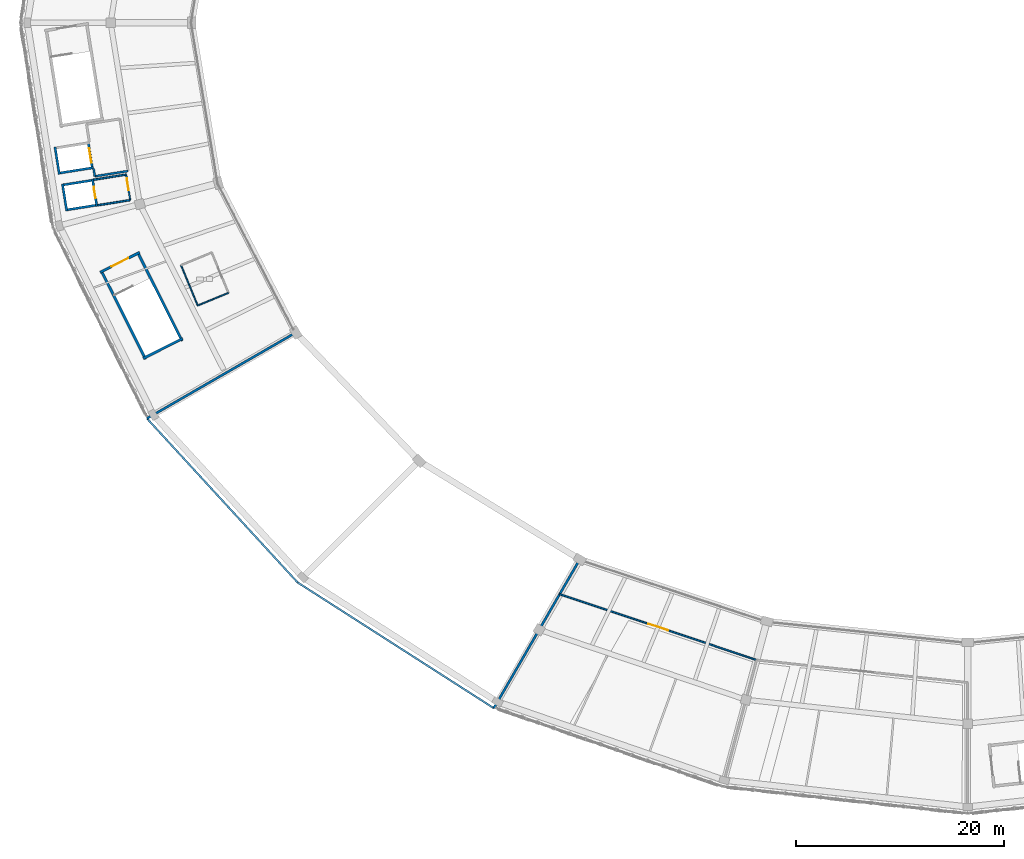
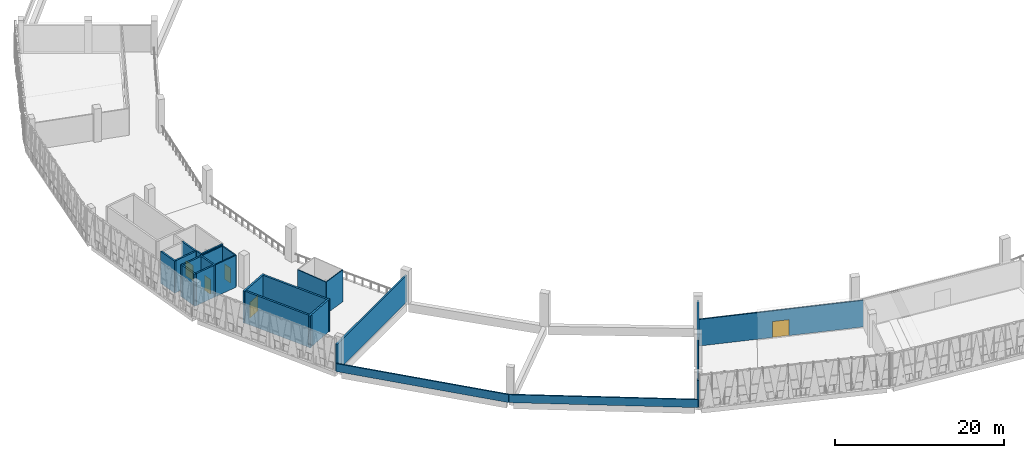
# One storey, part 42 of 64: 23 walls, 5 doors, 5 openings.
"""IFC4 building model written with IfcOpenShell, lengths in metres."""

from ifc_helpers import new_model, si_unit, direction, frame, frame_2d, origin, place, context, subcontext, project, spatial, rectangle, extrude, material, layer, layer_set, type_object, element, fill, save


model = new_model("IFC4")

# Units and contexts
model_context = context("Model", 3, precision=1e-05, world=origin(), true_north=direction((0.0, 1.0)))
body_context = subcontext(model_context, "Body", "Model", "MODEL_VIEW")
ifc_project = project(units=[si_unit("LENGTHUNIT", "METRE"), si_unit("AREAUNIT", "SQUARE_METRE"), si_unit("VOLUMEUNIT", "CUBIC_METRE"), si_unit("PLANEANGLEUNIT", "RADIAN"), si_unit("MASSUNIT", "GRAM", prefix="KILO")], contexts=[model_context])

# Site, building, storey
site_placement = place(None, origin())
site = spatial("IfcSite", under=ifc_project, at=site_placement, CompositionType="ELEMENT")
building_placement = place(site_placement, origin())
building = spatial("IfcBuilding", under=site, at=building_placement, Name="Zevraka Park Crest Stadium", CompositionType="ELEMENT")
storey_placement = place(building_placement, frame((0.0, 0.0, 24.60009765625)))
storey = spatial("IfcBuildingStorey", under=building, at=storey_placement, Name="L05", CompositionType="ELEMENT", Elevation=24.60009765625)

# Walls
ifc_material_1 = material(Name="Autoclaved aerated masonry blockwork", Category="masonry")
ifc_layer_1 = layer(ifc_material_1, 0.199951171875)
ifc_layer_set_1 = layer_set([ifc_layer_1], Name="Autoclaved aerated masonry blockwork")
wall_type_1 = type_object("IfcWallType", Name="IW01", PredefinedType="PARTITIONING", material=ifc_layer_set_1)
wall_1_placement = place(storey_placement, frame((28.18310546875, 77.256103515625, 0.0), z_axis=(0.0, 0.0, 1.0), x_axis=(-0.157482870509, 0.987521719, 0.0)))
element("IfcWall", 1, at=wall_1_placement, inside=storey, type_object=wall_type_1, Name="Firefighting Lift Lobby Wall IW01 FL03 L05 BACKL", PredefinedType="PARTITIONING", context=body_context, shape_type="SweptSolid", body=[
    extrude(rectangle(XDim=0.750244140625, YDim=0.199951171875, at=frame_2d((0.375, 0.0))), origin(), (0.0, 0.0, 1.0), 4.599853515625),
])
wall_2_placement = place(storey_placement, frame((28.18310546875, 77.256103515625, 0.0), z_axis=(0.0, 0.0, 1.0), x_axis=(0.987633675984, 0.156779214382, 0.0)))
element("IfcWall", 2, at=wall_2_placement, inside=storey, type_object=wall_type_1, Name="Firefighting Lift Lobby Wall IW01 FL03 L05 LEFT", PredefinedType="PARTITIONING", context=body_context, shape_type="SweptSolid", body=[
    extrude(rectangle(XDim=3.239013671875, YDim=0.199951171875, at=frame_2d((1.61962890625, 0.0))), origin(), (0.0, 0.0, 1.0), 4.599853515625),
])
ifc_material_2 = material(Name="Fire-rated twin-stud acoustic drywall", Category="other")
ifc_layer_2 = layer(ifc_material_2, 0.159912109375)
ifc_layer_set_2 = layer_set([ifc_layer_2], Name="Fire-rated twin-stud acoustic drywall")
wall_type_2 = type_object("IfcWallType", Name="IW02", PredefinedType="PARTITIONING", material=ifc_layer_set_2)
wall_3_placement = place(storey_placement, frame((28.452880859375, 74.472900390625, 0.0), z_axis=(0.0, 0.0, 1.0), x_axis=(0.987632121619, 0.156789005818, 0.0)))
element("IfcWall", 3, at=wall_3_placement, inside=storey, type_object=wall_type_2, Name="Passenger Lift Lobby Wall IW02 PL03 L05 LEFT", PredefinedType="PARTITIONING", context=body_context, shape_type="SweptSolid", body=[
    extrude(rectangle(XDim=3.17041015625, YDim=0.159912109375, at=frame_2d((1.585205078125, 0.0))), origin(), (0.0, 0.0, 1.0), 4.599853515625),
])
wall_4_placement = place(storey_placement, frame((28.06396484375, 76.923095703125, 0.0), z_axis=(0.0, 0.0, 1.0), x_axis=(0.987644043639, 0.156713889186, 0.0)))
element("IfcWall", 4, at=wall_4_placement, inside=storey, type_object=wall_type_2, Name="Passenger Lift Lobby Wall IW02 PL03 L05 RIGHT", PredefinedType="PARTITIONING", context=body_context, shape_type="SweptSolid", body=[
    extrude(rectangle(XDim=3.170166015625, YDim=0.159912109375, at=frame_2d((1.5849609375, 0.0))), origin(), (0.0, 0.0, 1.0), 4.599853515625),
])

# Wall, opening, door
wall_5_placement = place(storey_placement, frame((31.583984375, 74.969970703125, 0.0), z_axis=(0.0, 0.0, 1.0), x_axis=(-0.156781258489, 0.987633351496, 0.0)))
wall_5 = element("IfcWall", 5, at=wall_5_placement, inside=storey, type_object=wall_type_2, Name="Passenger Lift Lobby Wall IW02 PL03 L05 FRONT", PredefinedType="PARTITIONING", context=body_context, shape_type="SweptSolid", body=[
    extrude(rectangle(XDim=2.480712890625, YDim=0.159912109375, at=frame_2d((1.240234375, 0.0))), origin(), (0.0, 0.0, 1.0), 4.599853515625),
])
opening_1_placement = place(wall_5_placement, frame((0.962890625, 0.0, 0.0)))
opening_1 = element("IfcOpeningElement", 6, at=opening_1_placement, cuts=wall_5, Name="Opening D-L05-318", PredefinedType="OPENING", context=body_context, shape_type="SweptSolid", body=[
    extrude(rectangle(XDim=1.14990234375, YDim=2.199951171875, at=frame_2d((0.574951171875, 1.10009765625))), frame((0.0, 0.08984375, 0.0), z_axis=(0.0, -1.0, 0.0), x_axis=(1.0, 0.0, 0.0)), (0.0, 0.0, 1.0), 0.179931640625),
])
ifc_material_3 = material(Name="Solid-core hardwood timber leaf in steel frame", Category="steel")
door_type_1 = type_object("IfcDoorType", Name="DR03", OperationType="NOTDEFINED", PredefinedType="DOOR", material=ifc_material_3)
door_1_placement = place(opening_1_placement, origin())
door_1 = element("IfcDoor", 7, at=door_1_placement, inside=storey, type_object=door_type_1, Name="Passenger Lift Lobby PL03 Door D-L05-318", OperationType="SINGLE_SWING_RIGHT", OverallHeight=2.199951171875, OverallWidth=1.14990234375, PredefinedType="DOOR", context=body_context, shape_type="SweptSolid", body=[
    extrude(rectangle(XDim=1.14990234375, YDim=2.199951171875, at=frame_2d((0.574951171875, 1.10009765625))), frame((0.0, 0.02490234375, 0.0), z_axis=(0.0, -1.0, 0.0), x_axis=(1.0, 0.0, 0.0)), (0.0, 0.0, 1.0), 0.050048828125),
])
fill(opening_1, door_1)

# Walls
ifc_material_4 = material(Name="Moisture-resistant sanitary partition", Category="other")
ifc_layer_3 = layer(ifc_material_4, 0.1201171875)
ifc_layer_set_3 = layer_set([ifc_layer_3], Name="Moisture-resistant sanitary partition")
wall_type_3 = type_object("IfcWallType", Name="IW04", PredefinedType="PARTITIONING", material=ifc_layer_set_3)
wall_6_placement = place(storey_placement, frame((41.01806640625, 66.06591796875, 0.0), z_axis=(0.0, 0.0, 1.0), x_axis=(-0.923833607797, -0.382794285622, 0.0)))
element("IfcWall", 8, at=wall_6_placement, inside=storey, type_object=wall_type_3, Name="Sanitary Enclosure Wall IW04 Accessible WC L05-003-2", PredefinedType="PARTITIONING", context=body_context, shape_type="SweptSolid", body=[
    extrude(rectangle(XDim=3.19970703125, YDim=0.1201171875, at=frame_2d((1.599853515625, 0.0))), origin(), (0.0, 0.0, 1.0), 4.599853515625),
])
wall_7_placement = place(storey_placement, frame((38.06201171875, 64.841064453125, 0.0), z_axis=(0.0, 0.0, 1.0), x_axis=(-0.382649593233, 0.923893548413, 0.0)))
element("IfcWall", 9, at=wall_7_placement, inside=storey, type_object=wall_type_3, Name="Sanitary Enclosure Wall IW04 Accessible WC L05-003-3", PredefinedType="PARTITIONING", context=body_context, shape_type="SweptSolid", body=[
    extrude(rectangle(XDim=4.199462890625, YDim=0.1201171875, at=frame_2d((2.099609375, 0.0))), origin(), (0.0, 0.0, 1.0), 4.599853515625),
])

# Wall, opening, door
ifc_material_5 = material(Name="Fire-rated twin-stud acoustic drywall", Category="other")
ifc_layer_4 = layer(ifc_material_5, 0.14990234375)
ifc_layer_set_4 = layer_set([ifc_layer_4], Name="Fire-rated twin-stud acoustic drywall")
wall_type_4 = type_object("IfcWallType", Name="IW05", PredefinedType="PARTITIONING", material=ifc_layer_set_4)
wall_8_placement = place(storey_placement, frame((72.824951171875, 37.136962890625, 0.0), z_axis=(0.0, 0.0, 1.0), x_axis=(0.948247492377, -0.317532192384, 0.0)))
wall_8 = element("IfcWall", 10, at=wall_8_placement, inside=storey, type_object=wall_type_4, Name="Interior Partition IW05 Accredited Media Dining Lounge L05", PredefinedType="PARTITIONING", context=body_context, shape_type="SweptSolid", body=[
    extrude(rectangle(XDim=19.92822265625, YDim=0.14990234375, at=frame_2d((9.964111328125, 0.0))), origin(), (0.0, 0.0, 1.0), 3.83984375),
])
opening_2_placement = place(wall_8_placement, frame((8.964111328125, 0.0, 0.0)))
opening_2 = element("IfcOpeningElement", 11, at=opening_2_placement, cuts=wall_8, Name="Opening D-L05-496", PredefinedType="OPENING", context=body_context, shape_type="SweptSolid", body=[
    extrude(rectangle(XDim=2.0, YDim=2.300048828125, at=frame_2d((1.0, 1.14990234375))), frame((0.0, 0.0849609375, 0.0), z_axis=(0.0, -1.0, 0.0), x_axis=(1.0, 0.0, 0.0)), (0.0, 0.0, 1.0), 0.169921875),
])
ifc_material_6 = material(Name="Solid-core hardwood timber leaf in steel frame", Category="steel")
door_type_2 = type_object("IfcDoorType", Name="DR16", OperationType="NOTDEFINED", PredefinedType="DOOR", material=ifc_material_6)
door_2_placement = place(opening_2_placement, origin())
door_2 = element("IfcDoor", 12, at=door_2_placement, inside=storey, type_object=door_type_2, Name="Accredited Media Dining Lounge Door D-L05-496", OperationType="DOUBLE_DOOR_SINGLE_SWING", OverallHeight=2.300048828125, OverallWidth=2.0, PredefinedType="DOOR", context=body_context, shape_type="SweptSolid", body=[
    extrude(rectangle(XDim=2.0, YDim=2.300048828125, at=frame_2d((1.0, 1.14990234375))), frame((0.0, 0.02490234375, 0.0), z_axis=(0.0, -1.0, 0.0), x_axis=(1.0, 0.0, 0.0)), (0.0, 0.0, 1.0), 0.050048828125),
])
fill(opening_2, door_2)

# Walls
ifc_material_7 = material(Name="Precast concrete C40/50", Category="concrete")
ifc_layer_5 = layer(ifc_material_7, 0.219970703125)
ifc_layer_set_5 = layer_set([ifc_layer_5], Name="Precast concrete C40/50")
wall_type_5 = type_object("IfcWallType", Name="PW01", PredefinedType="PARAPET", material=ifc_layer_set_5)
for number, where, z_axis, x_axis, name in (
    (13, (47.48095703125, 62.25, 0.0), (0.0, 0.0, 1.0), (-0.866019999656, -0.500009360108, 0.0), "Crown Tribune End Closure Wall PW01 14"),
    (14, (74.75, 40.470947265625, 0.0), (0.0, 0.0, 1.0), (-0.500009360108, -0.866019999656, 0.0), "Crown Tribune End Closure Wall PW01 16"),
):
    element("IfcWall", number, at=place(storey_placement, frame(where, z_axis=z_axis, x_axis=x_axis)), inside=storey, type_object=wall_type_5, Name=name, PredefinedType="PARAPET", context=body_context, shape_type="SweptSolid", body=[
        extrude(rectangle(XDim=16.499755859375, YDim=0.219970703125, at=frame_2d((8.25, 0.0))), origin(), (0.0, 0.0, 1.0), 3.889892578125),
    ])
ifc_material_8 = material(Name="Precast concrete C40/50", Category="concrete")
ifc_layer_6 = layer(ifc_material_8, 0.179931640625)
ifc_layer_set_6 = layer_set([ifc_layer_6], Name="Precast concrete C40/50")
wall_type_6 = type_object("IfcWallType", Name="PW02", PredefinedType="PARAPET", material=ifc_layer_set_6)
wall_9_placement = place(storey_placement, frame((33.19189453125, 54.0, 0.0), z_axis=(0.0, 0.0, 1.0), x_axis=(0.676559509476, -0.736387961701, 0.0)))
element("IfcWall", 15, at=wall_9_placement, inside=storey, type_object=wall_type_6, Name="Setback Roof Parapet Wall PW02 14", PredefinedType="PARAPET", context=body_context, shape_type="SweptSolid", body=[
    extrude(rectangle(XDim=21.37451171875, YDim=0.179931640625, at=frame_2d((10.687255859375, 0.0))), origin(), (0.0, 0.0, 1.0), 1.14990234375),
])
wall_10_placement = place(storey_placement, frame((47.653076171875, 38.260009765625, 0.0), z_axis=(0.0, 0.0, 1.0), x_axis=(0.841944820425, -0.539563637914, 0.0)))
element("IfcWall", 16, at=wall_10_placement, inside=storey, type_object=wall_type_6, Name="Setback Roof Parapet Wall PW02 15", PredefinedType="PARAPET", context=body_context, shape_type="SweptSolid", body=[
    extrude(rectangle(XDim=22.385009765625, YDim=0.179931640625, at=frame_2d((11.1923828125, 0.0))), origin(), (0.0, 0.0, 1.0), 1.14990234375),
])
ifc_material_9 = material(Name="Concrete C40/50", Category="concrete")
ifc_layer_7 = layer(ifc_material_9, 0.25)
ifc_layer_set_7 = layer_set([ifc_layer_7], Name="Concrete C40/50")
wall_type_7 = type_object("IfcWallType", Name="SW01", PredefinedType="SHEAR", material=ifc_layer_set_7)
for number, where, z_axis, x_axis, name in (
    (17, (28.785400390625, 68.2255859375, 0.0), (0.0, 0.0, 1.0), (0.447919041961, -0.894074119885, 0.0), "Stair Core Shear Wall SW01 ST14 L05 left"),
    (18, (36.56787109375, 61.443115234375, 0.0), (0.0, 0.0, 1.0), (-0.447919041961, 0.894074119885, 0.0), "Stair Core Shear Wall SW01 ST14 L05 right"),
):
    element("IfcWall", number, at=place(storey_placement, frame(where, z_axis=z_axis, x_axis=x_axis)), inside=storey, type_object=wall_type_7, Name=name, PredefinedType="SHEAR", context=body_context, shape_type="SweptSolid", body=[
        extrude(rectangle(XDim=9.5498046875, YDim=0.25, at=frame_2d((4.77490234375, 0.0))), origin(), (0.0, 0.0, 1.0), 4.619873046875),
    ])

# Wall, opening, door
wall_11_placement = place(storey_placement, frame((32.498291015625, 69.94580078125, 0.0), z_axis=(0.0, 0.0, 1.0), x_axis=(-0.89409454548, -0.447878268888, 0.0)))
wall_11 = element("IfcWall", 19, at=wall_11_placement, inside=storey, type_object=wall_type_7, Name="Stair Core Shear Wall SW01 ST14 L05 near", PredefinedType="SHEAR", context=body_context, shape_type="SweptSolid", body=[
    extrude(rectangle(XDim=4.260009765625, YDim=0.25, at=frame_2d((2.1298828125, 0.0))), origin(), (0.0, 0.0, 1.0), 4.619873046875),
])
opening_3_placement = place(wall_11_placement, frame((1.22998046875, 0.0, 0.0)))
opening_3 = element("IfcOpeningElement", 20, at=opening_3_placement, cuts=wall_11, Name="Opening D-L05-086", PredefinedType="OPENING", context=body_context, shape_type="SweptSolid", body=[
    extrude(rectangle(XDim=1.800048828125, YDim=2.25, at=frame_2d((0.89990234375, 1.125))), frame((0.0, 0.135009765625, 0.0), z_axis=(0.0, -1.0, 0.0), x_axis=(1.0, 0.0, 0.0)), (0.0, 0.0, 1.0), 0.27001953125),
])
ifc_material_10 = material(Name="Solid-core hardwood timber leaf in steel frame", Category="steel")
door_type_3 = type_object("IfcDoorType", Name="DR04", OperationType="NOTDEFINED", PredefinedType="DOOR", material=ifc_material_10)
door_3_placement = place(opening_3_placement, origin())
door_3 = element("IfcDoor", 21, at=door_3_placement, inside=storey, type_object=door_type_3, Name="Protected Stair Entry Door ST14 L05", OperationType="DOUBLE_DOOR_SINGLE_SWING", OverallHeight=2.25, OverallWidth=1.800048828125, PredefinedType="DOOR", context=body_context, shape_type="SweptSolid", body=[
    extrude(rectangle(XDim=1.800048828125, YDim=2.25, at=frame_2d((0.89990234375, 1.125))), frame((0.0, 0.02490234375, 0.0), z_axis=(0.0, -1.0, 0.0), x_axis=(1.0, 0.0, 0.0)), (0.0, 0.0, 1.0), 0.050048828125),
])
fill(opening_3, door_3)

# Walls
wall_12_placement = place(storey_placement, frame((32.828125, 59.776611328125, 0.0), z_axis=(0.0, 0.0, 1.0), x_axis=(0.89409454548, 0.447878268888, 0.0)))
element("IfcWall", 22, at=wall_12_placement, inside=storey, type_object=wall_type_7, Name="Stair Core Shear Wall SW01 ST14 L05 far", PredefinedType="SHEAR", context=body_context, shape_type="SweptSolid", body=[
    extrude(rectangle(XDim=4.260009765625, YDim=0.25, at=frame_2d((2.1298828125, 0.0))), origin(), (0.0, 0.0, 1.0), 4.619873046875),
])
ifc_material_11 = material(Name="Concrete C40/50", Category="concrete")
ifc_layer_8 = layer(ifc_material_11, 0.219970703125)
ifc_layer_set_8 = layer_set([ifc_layer_8], Name="Concrete C40/50")
wall_type_8 = type_object("IfcWallType", Name="SW02", PredefinedType="SHEAR", material=ifc_layer_set_8)
wall_13_placement = place(storey_placement, frame((24.364990234375, 80.06298828125, 0.0), z_axis=(0.0, 0.0, 1.0), x_axis=(0.156807626334, -0.987629165387, 0.0)))
element("IfcWall", 23, at=wall_13_placement, inside=storey, type_object=wall_type_8, Name="Lift Shaft Shear Wall SW02 FL03 L05-1", PredefinedType="SHEAR", context=body_context, shape_type="SweptSolid", body=[
    extrude(rectangle(XDim=2.640625, YDim=0.219970703125, at=frame_2d((1.3203125, 0.0))), origin(), (0.0, 0.0, 1.0), 4.619873046875),
])
wall_14_placement = place(storey_placement, frame((24.653076171875, 77.547119140625, 0.0), z_axis=(0.0, 0.0, 1.0), x_axis=(0.987703627881, 0.156337914372, 0.0)))
element("IfcWall", 24, at=wall_14_placement, inside=storey, type_object=wall_type_8, Name="Lift Shaft Shear Wall SW02 FL03 L05-2", PredefinedType="SHEAR", context=body_context, shape_type="SweptSolid", body=[
    extrude(rectangle(XDim=3.440185546875, YDim=0.219970703125, at=frame_2d((1.72021484375, 0.0))), origin(), (0.0, 0.0, 1.0), 4.619873046875),
])

# Wall, opening, door
wall_15_placement = place(storey_placement, frame((27.958984375, 77.958984375, 0.0), z_axis=(0.0, 0.0, 1.0), x_axis=(-0.156807626334, 0.987629165387, 0.0)))
wall_15 = element("IfcWall", 25, at=wall_15_placement, inside=storey, type_object=wall_type_8, Name="Lift Shaft Shear Wall SW02 FL03 L05-3", PredefinedType="SHEAR", context=body_context, shape_type="SweptSolid", body=[
    extrude(rectangle(XDim=2.640625, YDim=0.219970703125, at=frame_2d((1.3203125, 0.0))), origin(), (0.0, 0.0, 1.0), 4.619873046875),
])
opening_4_placement = place(wall_15_placement, frame((0.6201171875, 0.0, 0.0)))
opening_4 = element("IfcOpeningElement", 26, at=opening_4_placement, cuts=wall_15, Name="Opening LD-FL03-L05", PredefinedType="OPENING", context=body_context, shape_type="SweptSolid", body=[
    extrude(rectangle(XDim=1.39990234375, YDim=2.199951171875, at=frame_2d((0.699951171875, 1.10009765625))), frame((0.0, 0.119873046875, 0.0), z_axis=(0.0, -1.0, 0.0), x_axis=(1.0, 0.0, 0.0)), (0.0, 0.0, 1.0), 0.239990234375),
])
ifc_material_12 = material(Name="Brushed stainless steel lift landing doors", Category="steel")
door_type_4 = type_object("IfcDoorType", Name="LD01", OperationType="NOTDEFINED", PredefinedType="DOOR", material=ifc_material_12)
door_4_placement = place(opening_4_placement, origin())
door_4 = element("IfcDoor", 27, at=door_4_placement, inside=storey, type_object=door_type_4, Name="Lift Sliding Landing Door LD-FL03-L05", OperationType="SLIDING_TO_LEFT", OverallHeight=2.199951171875, OverallWidth=1.39990234375, PredefinedType="DOOR", context=body_context, shape_type="SweptSolid", body=[
    extrude(rectangle(XDim=1.39990234375, YDim=2.199951171875, at=frame_2d((0.699951171875, 1.10009765625))), frame((0.0, 0.02490234375, 0.0), z_axis=(0.0, -1.0, 0.0), x_axis=(1.0, 0.0, 0.0)), (0.0, 0.0, 1.0), 0.050048828125),
])
fill(opening_4, door_4)

# Walls
wall_16_placement = place(storey_placement, frame((25.077880859375, 76.530029296875, 0.0), z_axis=(0.0, 0.0, 1.0), x_axis=(0.156807626334, -0.987629165387, 0.0)))
element("IfcWall", 28, at=wall_16_placement, inside=storey, type_object=wall_type_8, Name="Lift Shaft Shear Wall SW02 PL03 L05-1", PredefinedType="SHEAR", context=body_context, shape_type="SweptSolid", body=[
    extrude(rectangle(XDim=2.640625, YDim=0.219970703125, at=frame_2d((1.3203125, 0.0))), origin(), (0.0, 0.0, 1.0), 4.619873046875),
])
wall_17_placement = place(storey_placement, frame((25.365966796875, 74.013916015625, 0.0), z_axis=(0.0, 0.0, 1.0), x_axis=(0.987645460109, 0.156704962032, 0.0)))
element("IfcWall", 29, at=wall_17_placement, inside=storey, type_object=wall_type_8, Name="Lift Shaft Shear Wall SW02 PL03 L05-2", PredefinedType="SHEAR", context=body_context, shape_type="SweptSolid", body=[
    extrude(rectangle(XDim=3.140869140625, YDim=0.219970703125, at=frame_2d((1.5703125, 0.0))), origin(), (0.0, 0.0, 1.0), 4.619873046875),
])

# Wall, opening, door
wall_18_placement = place(storey_placement, frame((28.3759765625, 74.3798828125, 0.0), z_axis=(0.0, 0.0, 1.0), x_axis=(-0.156793308963, 0.987631438475, 0.0)))
wall_18 = element("IfcWall", 30, at=wall_18_placement, inside=storey, type_object=wall_type_8, Name="Lift Shaft Shear Wall SW02 PL03 L05-3", PredefinedType="SHEAR", context=body_context, shape_type="SweptSolid", body=[
    extrude(rectangle(XDim=2.640869140625, YDim=0.219970703125, at=frame_2d((1.3203125, 0.0))), origin(), (0.0, 0.0, 1.0), 4.619873046875),
])
opening_5_placement = place(wall_18_placement, frame((0.77001953125, 0.0, 0.0)))
opening_5 = element("IfcOpeningElement", 31, at=opening_5_placement, cuts=wall_18, Name="Opening LD-PL03-L05", PredefinedType="OPENING", context=body_context, shape_type="SweptSolid", body=[
    extrude(rectangle(XDim=1.10009765625, YDim=2.14990234375, at=frame_2d((0.550048828125, 1.074951171875))), frame((0.0, 0.119873046875, 0.0), z_axis=(0.0, -1.0, 0.0), x_axis=(1.0, 0.0, 0.0)), (0.0, 0.0, 1.0), 0.239990234375),
])
ifc_material_13 = material(Name="Brushed stainless steel lift landing doors", Category="steel")
door_type_5 = type_object("IfcDoorType", Name="LD02", OperationType="NOTDEFINED", PredefinedType="DOOR", material=ifc_material_13)
door_5_placement = place(opening_5_placement, origin())
door_5 = element("IfcDoor", 32, at=door_5_placement, inside=storey, type_object=door_type_5, Name="Lift Sliding Landing Door LD-PL03-L05", OperationType="SLIDING_TO_LEFT", OverallHeight=2.14990234375, OverallWidth=1.10009765625, PredefinedType="DOOR", context=body_context, shape_type="SweptSolid", body=[
    extrude(rectangle(XDim=1.10009765625, YDim=2.14990234375, at=frame_2d((0.550048828125, 1.074951171875))), frame((0.0, 0.02490234375, 0.0), z_axis=(0.0, -1.0, 0.0), x_axis=(1.0, 0.0, 0.0)), (0.0, 0.0, 1.0), 0.050048828125),
])
fill(opening_5, door_5)

# Wall
wall_19_placement = place(storey_placement, frame((28.087890625, 76.89599609375, 0.0), z_axis=(0.0, 0.0, 1.0), x_axis=(-0.98765558045, -0.156641164471, 0.0)))
element("IfcWall", 33, at=wall_19_placement, inside=storey, type_object=wall_type_8, Name="Lift Shaft Shear Wall SW02 PL03 L05-4", PredefinedType="SHEAR", context=body_context, shape_type="SweptSolid", body=[
    extrude(rectangle(XDim=3.140625, YDim=0.219970703125, at=frame_2d((1.5703125, 0.0))), origin(), (0.0, 0.0, 1.0), 4.619873046875),
])

save(model, "model.ifc")
